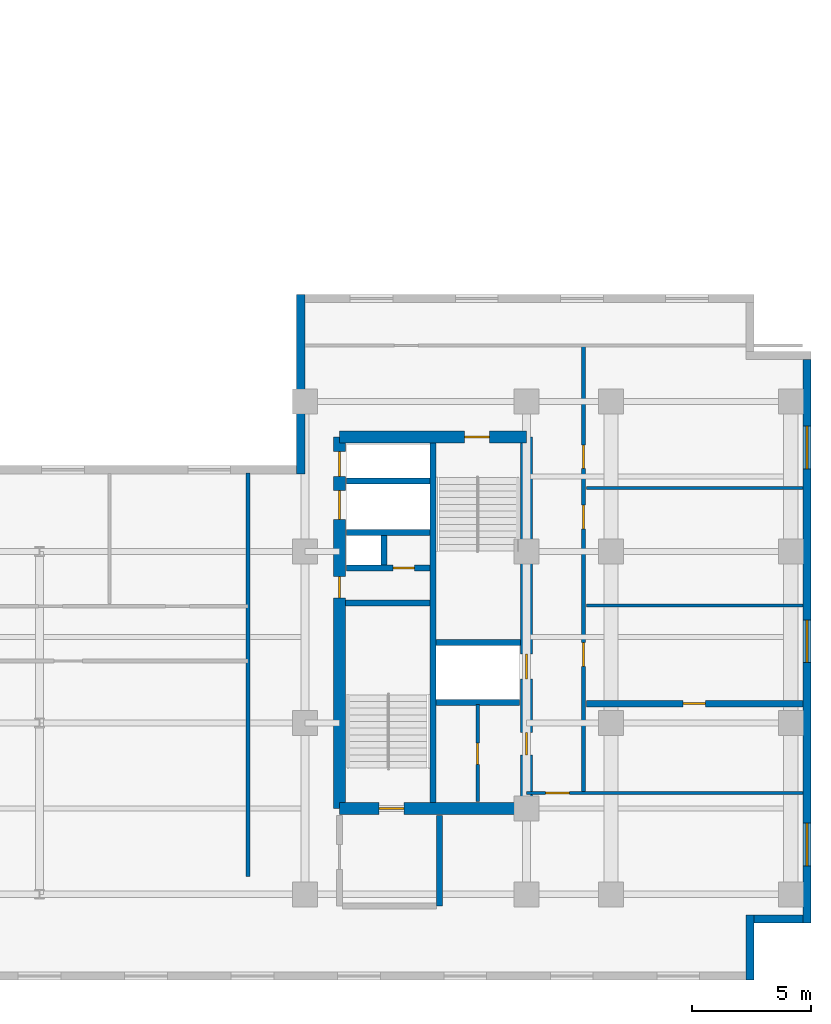
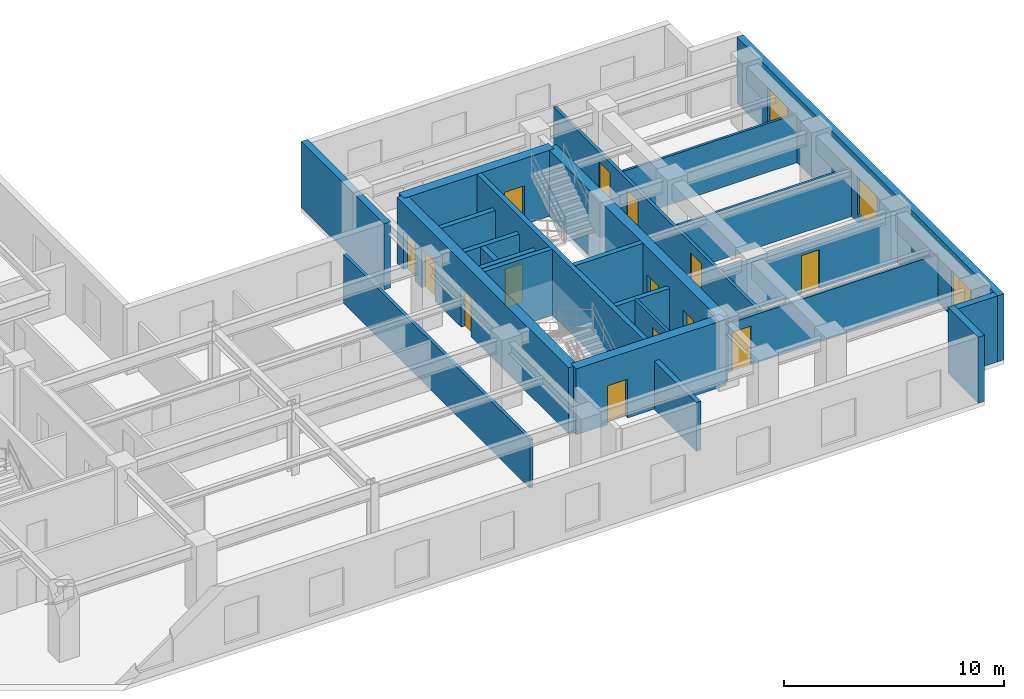
# One storey, part 5 of 10: 24 walls, 14 doors, 3 windows, 17 openings.
"""IFC4 building model written with IfcOpenShell, lengths in metres."""

from ifc_helpers import new_model, entity, si_unit, converted_unit, direction, frame, origin_with_axes, origin_2d_with_axis, place, context, subcontext, project, spatial, polyline, rectangle, outline, extrude, material, layer, layer_set, type_object, element, fill, save


model = new_model("IFC4")

# Units and contexts
model_context = context("Model", 3, precision=1e-05, world=origin_with_axes(), true_north=direction((0.0, 1.0)))
body_context = subcontext(model_context, "Body", "Model", "MODEL_VIEW")
ifc_project = project(units=[si_unit("LENGTHUNIT", "METRE"), si_unit("AREAUNIT", "SQUARE_METRE"), si_unit("VOLUMEUNIT", "CUBIC_METRE"), converted_unit("PLANEANGLEUNIT", "DEGREE", entity("IfcPlaneAngleMeasure", 0.017453292519943295), si_unit("PLANEANGLEUNIT", "RADIAN"), dimensions=[0, 0, 0, 0, 0, 0, 0]), si_unit("MASSUNIT", "GRAM", prefix="KILO"), si_unit("THERMODYNAMICTEMPERATUREUNIT", "KELVIN")], contexts=[model_context])

# Site, building, storey
site_placement = place(None, origin_with_axes())
site = spatial("IfcSite", under=ifc_project, at=site_placement, CompositionType="ELEMENT")
building_placement = place(site_placement, origin_with_axes())
building = spatial("IfcBuilding", under=site, at=building_placement, Name="Varnlund Millrace Tower", CompositionType="ELEMENT")
storey_placement = place(building_placement, frame((0.0, 0.0, 175.8), z_axis=(0.0, 0.0, 1.0), x_axis=(1.0, 0.0, 0.0)))
storey = spatial("IfcBuildingStorey", under=building, at=storey_placement, Name="L43", CompositionType="ELEMENT", Elevation=175.8)

# Wall, openings, doors
ifc_material_1 = material(Name="Concrete C70/85", Category="concrete")
ifc_layer_1 = layer(ifc_material_1, 0.5, Name="Concrete C70/85")
ifc_layer_set_1 = layer_set([ifc_layer_1], Name="Concrete C70/85")
wall_type_1 = type_object("IfcWallType", Name="Type-CoreWall-Shear-500-C70", PredefinedType="SHEAR", material=ifc_layer_set_1)
wall_1_placement = place(storey_placement, frame((40.2, 7.2, 0.0), z_axis=(0.0, 0.0, 1.0), x_axis=(0.0, 1.0, 0.0)))
wall_1 = element("IfcWall", 1, at=wall_1_placement, inside=storey, type_object=wall_type_1, Name="Type-CoreWall-Shear-500-C70", PredefinedType="SHEAR", context=body_context, shape_type="SweptSolid", body=[
    extrude(outline(polyline([(0.0, -0.25), (15.6, -0.25), (15.6, 0.25), (0.0, 0.25), (0.0, -0.25)])), origin_with_axes(), (0.0, 0.0, 1.0), 3.66),
])
opening_1_placement = place(wall_1_placement, frame((14.475, 0.0, 0.0), z_axis=(0.0, 0.0, 1.0), x_axis=(1.0, 0.0, 0.0)))
opening_1 = element("IfcOpeningElement", 2, at=opening_1_placement, cuts=wall_1, Name="Opening L43:LD-ELV-M4", PredefinedType="OPENING", context=body_context, shape_type="SweptSolid", body=[
    extrude(rectangle(XDim=1.05, YDim=0.52, at=origin_2d_with_axis()), origin_with_axes(), (0.0, 0.0, 1.0), 2.15),
])
opening_2_placement = place(wall_1_placement, frame((12.75, 0.0, 0.0), z_axis=(0.0, 0.0, 1.0), x_axis=(1.0, 0.0, 0.0)))
opening_2 = element("IfcOpeningElement", 3, at=opening_2_placement, cuts=wall_1, Name="Opening L43:LD-SRV2", PredefinedType="OPENING", context=body_context, shape_type="SweptSolid", body=[
    extrude(rectangle(XDim=1.2, YDim=0.52, at=origin_2d_with_axis()), origin_with_axes(), (0.0, 0.0, 1.0), 2.15),
])
opening_3_placement = place(wall_1_placement, frame((9.3, 0.0, 0.0), z_axis=(0.0, 0.0, 1.0), x_axis=(1.0, 0.0, 0.0)))
opening_3 = element("IfcOpeningElement", 4, at=opening_3_placement, cuts=wall_1, Name="Opening L43:DR-CB-JAN", PredefinedType="OPENING", context=body_context, shape_type="SweptSolid", body=[
    extrude(rectangle(XDim=0.9, YDim=0.52, at=origin_2d_with_axis()), origin_with_axes(), (0.0, 0.0, 1.0), 2.15),
])
ifc_material_2 = material(Name="Fire-rated hollow steel service closet door", Category="steel")
door_type_1 = type_object("IfcDoorType", Name="Type-FireDoor-Closet-900X2150", OperationType="NOTDEFINED", PredefinedType="DOOR", material=ifc_material_2)
door_1_placement = place(wall_1_placement, frame((9.3, 0.0, 0.0), z_axis=(0.0, 0.0, 1.0), x_axis=(1.0, 0.0, 0.0)))
door_1 = element("IfcDoor", 5, at=door_1_placement, inside=storey, type_object=door_type_1, Name="Type-FireDoor-Closet-900X2150", OperationType="SINGLE_SWING_RIGHT", OverallHeight=2.15, OverallWidth=0.9, PredefinedType="DOOR", context=body_context, shape_type="SweptSolid", body=[
    extrude(rectangle(XDim=0.9, YDim=0.09, at=origin_2d_with_axis()), origin_with_axes(), (0.0, 0.0, 1.0), 2.15),
])
fill(opening_3, door_1)
ifc_material_3 = material(Name="Architectural bronze sliding landing door")
door_type_2 = type_object("IfcDoorType", Name="Type-LiftLandingDoor-Compact-1050X2150", OperationType="NOTDEFINED", PredefinedType="DOOR", material=ifc_material_3)
door_2_placement = place(wall_1_placement, frame((14.475, 0.0, 0.0), z_axis=(0.0, 0.0, 1.0), x_axis=(1.0, 0.0, 0.0)))
door_2 = element("IfcDoor", 6, at=door_2_placement, inside=storey, type_object=door_type_2, Name="Type-LiftLandingDoor-Compact-1050X2150", OperationType="SLIDING_TO_RIGHT", OverallHeight=2.15, OverallWidth=1.05, PredefinedType="DOOR", context=body_context, shape_type="SweptSolid", body=[
    extrude(rectangle(XDim=1.05, YDim=0.09, at=origin_2d_with_axis()), origin_with_axes(), (0.0, 0.0, 1.0), 2.15),
])
fill(opening_1, door_2)
ifc_material_4 = material(Name="Heavy-duty freight sliding landing door")
door_type_3 = type_object("IfcDoorType", Name="Type-LiftLandingDoor-Service-1200X2150", OperationType="NOTDEFINED", PredefinedType="DOOR", material=ifc_material_4)
door_3_placement = place(wall_1_placement, frame((12.75, 0.0, 0.0), z_axis=(0.0, 0.0, 1.0), x_axis=(1.0, 0.0, 0.0)))
door_3 = element("IfcDoor", 7, at=door_3_placement, inside=storey, type_object=door_type_3, Name="Type-LiftLandingDoor-Service-1200X2150", OperationType="DOUBLE_DOOR_SLIDING", OverallHeight=2.15, OverallWidth=1.2, PredefinedType="DOOR", context=body_context, shape_type="SweptSolid", body=[
    extrude(rectangle(XDim=1.2, YDim=0.09, at=origin_2d_with_axis()), origin_with_axes(), (0.0, 0.0, 1.0), 2.15),
])
fill(opening_2, door_3)

# Wall, opening, door
wall_2_placement = place(storey_placement, frame((40.2, 7.2, 0.0), z_axis=(0.0, 0.0, 1.0), x_axis=(1.0, 0.0, 0.0)))
wall_2 = element("IfcWall", 8, at=wall_2_placement, inside=storey, type_object=wall_type_1, Name="Type-CoreWall-Shear-500-C70", PredefinedType="SHEAR", context=body_context, shape_type="SweptSolid", body=[
    extrude(outline(polyline([(0.0, -0.25), (7.85, -0.25), (7.85, 0.25), (0.0, 0.25), (0.0, -0.25)])), origin_with_axes(), (0.0, 0.0, 1.0), 3.66),
])
opening_4_placement = place(wall_2_placement, frame((2.175, 0.0, 0.0), z_axis=(0.0, 0.0, 1.0), x_axis=(1.0, 0.0, 0.0)))
opening_4 = element("IfcOpeningElement", 9, at=opening_4_placement, cuts=wall_2, Name="Opening L43:DR-STB1", PredefinedType="OPENING", context=body_context, shape_type="SweptSolid", body=[
    extrude(rectangle(XDim=1.05, YDim=0.52, at=origin_2d_with_axis()), origin_with_axes(), (0.0, 0.0, 1.0), 2.15),
])
ifc_material_5 = material(Name="Fire-rated hollow steel door", Category="steel")
door_type_4 = type_object("IfcDoorType", Name="Type-FireDoor-Stair-1050X2150", OperationType="NOTDEFINED", PredefinedType="DOOR", material=ifc_material_5)
door_4_placement = place(wall_2_placement, frame((2.175, 0.0, 0.0), z_axis=(0.0, 0.0, 1.0), x_axis=(1.0, 0.0, 0.0)))
door_4 = element("IfcDoor", 10, at=door_4_placement, inside=storey, type_object=door_type_4, Name="Type-FireDoor-Stair-1050X2150", OperationType="SINGLE_SWING_LEFT", OverallHeight=2.15, OverallWidth=1.05, PredefinedType="DOOR", context=body_context, shape_type="SweptSolid", body=[
    extrude(rectangle(XDim=1.05, YDim=0.09, at=origin_2d_with_axis()), origin_with_axes(), (0.0, 0.0, 1.0), 2.15),
])
fill(opening_4, door_4)

wall_3_placement = place(storey_placement, frame((40.2, 22.8, 0.0), z_axis=(0.0, 0.0, 1.0), x_axis=(1.0, 0.0, 0.0)))
wall_3 = element("IfcWall", 11, at=wall_3_placement, inside=storey, type_object=wall_type_1, Name="Type-CoreWall-Shear-500-C70", PredefinedType="SHEAR", context=body_context, shape_type="SweptSolid", body=[
    extrude(outline(polyline([(0.0, -0.25), (7.85, -0.25), (7.85, 0.25), (0.0, 0.25), (0.0, -0.25)])), origin_with_axes(), (0.0, 0.0, 1.0), 3.66),
])
opening_5_placement = place(wall_3_placement, frame((5.775, 0.0, 0.0), z_axis=(0.0, 0.0, 1.0), x_axis=(1.0, 0.0, 0.0)))
opening_5 = element("IfcOpeningElement", 12, at=opening_5_placement, cuts=wall_3, Name="Opening L43:DR-STB2", PredefinedType="OPENING", context=body_context, shape_type="SweptSolid", body=[
    extrude(rectangle(XDim=1.05, YDim=0.52, at=origin_2d_with_axis()), origin_with_axes(), (0.0, 0.0, 1.0), 2.15),
])
door_5_placement = place(wall_3_placement, frame((5.775, 0.0, 0.0), z_axis=(0.0, 0.0, 1.0), x_axis=(1.0, 0.0, 0.0)))
door_5 = element("IfcDoor", 13, at=door_5_placement, inside=storey, type_object=door_type_4, Name="Type-FireDoor-Stair-1050X2150", OperationType="SINGLE_SWING_RIGHT", OverallHeight=2.15, OverallWidth=1.05, PredefinedType="DOOR", context=body_context, shape_type="SweptSolid", body=[
    extrude(rectangle(XDim=1.05, YDim=0.09, at=origin_2d_with_axis()), origin_with_axes(), (0.0, 0.0, 1.0), 2.15),
])
fill(opening_5, door_5)

# Wall, openings, doors
wall_4_placement = place(storey_placement, frame((48.05, 7.2, 0.0), z_axis=(0.0, 0.0, 1.0), x_axis=(0.0, 1.0, 0.0)))
wall_4 = element("IfcWall", 14, at=wall_4_placement, inside=storey, type_object=wall_type_1, Name="Type-CoreWall-Shear-500-C70", PredefinedType="SHEAR", context=body_context, shape_type="SweptSolid", body=[
    extrude(outline(polyline([(0.0, -0.25), (15.6, -0.25), (15.6, 0.25), (0.0, 0.25), (0.0, -0.25)])), origin_with_axes(), (0.0, 0.0, 1.0), 3.66),
])
opening_6_placement = place(wall_4_placement, frame((5.975, 0.0, 0.0), z_axis=(0.0, 0.0, 1.0), x_axis=(1.0, 0.0, 0.0)))
opening_6 = element("IfcOpeningElement", 15, at=opening_6_placement, cuts=wall_4, Name="Opening L43:LD-ELV-M3", PredefinedType="OPENING", context=body_context, shape_type="SweptSolid", body=[
    extrude(rectangle(XDim=1.05, YDim=0.52, at=origin_2d_with_axis()), origin_with_axes(), (0.0, 0.0, 1.0), 2.15),
])
opening_7_placement = place(wall_4_placement, frame((2.725, 0.0, 0.0), z_axis=(0.0, 0.0, 1.0), x_axis=(1.0, 0.0, 0.0)))
opening_7 = element("IfcOpeningElement", 16, at=opening_7_placement, cuts=wall_4, Name="Opening L43:DR-CB-WC2", PredefinedType="OPENING", context=body_context, shape_type="SweptSolid", body=[
    extrude(rectangle(XDim=0.95, YDim=0.52, at=origin_2d_with_axis()), origin_with_axes(), (0.0, 0.0, 1.0), 2.15),
])
ifc_material_6 = material(Name="Fire-rated hollow steel core service door", Category="steel")
door_type_5 = type_object("IfcDoorType", Name="Type-FireDoor-Service-950X2150", OperationType="NOTDEFINED", PredefinedType="DOOR", material=ifc_material_6)
door_6_placement = place(wall_4_placement, frame((2.725, 0.0, 0.0), z_axis=(0.0, 0.0, 1.0), x_axis=(1.0, 0.0, 0.0)))
door_6 = element("IfcDoor", 17, at=door_6_placement, inside=storey, type_object=door_type_5, Name="Type-FireDoor-Service-950X2150", OperationType="SINGLE_SWING_LEFT", OverallHeight=2.15, OverallWidth=0.95, PredefinedType="DOOR", context=body_context, shape_type="SweptSolid", body=[
    extrude(rectangle(XDim=0.95, YDim=0.09, at=origin_2d_with_axis()), origin_with_axes(), (0.0, 0.0, 1.0), 2.15),
])
fill(opening_7, door_6)
door_7_placement = place(wall_4_placement, frame((5.975, 0.0, 0.0), z_axis=(0.0, 0.0, 1.0), x_axis=(1.0, 0.0, 0.0)))
door_7 = element("IfcDoor", 18, at=door_7_placement, inside=storey, type_object=door_type_2, Name="Type-LiftLandingDoor-Compact-1050X2150", OperationType="SLIDING_TO_LEFT", OverallHeight=2.15, OverallWidth=1.05, PredefinedType="DOOR", context=body_context, shape_type="SweptSolid", body=[
    extrude(rectangle(XDim=1.05, YDim=0.09, at=origin_2d_with_axis()), origin_with_axes(), (0.0, 0.0, 1.0), 2.15),
])
fill(opening_6, door_7)

# Wall
ifc_material_7 = material(Name="Precast concrete C50/60", Category="concrete")
ifc_layer_2 = layer(ifc_material_7, 0.34, Name="Precast concrete C50/60")
ifc_layer_set_2 = layer_set([ifc_layer_2], Name="Precast concrete C50/60")
wall_type_2 = type_object("IfcWallType", Name="Type-ExtWall-Precast-Upper-340", PredefinedType="SOLIDWALL", material=ifc_layer_set_2)
wall_5_placement = place(storey_placement, frame((38.57, 21.26, 0.0), z_axis=(0.0, 0.0, 1.0), x_axis=(0.0, 1.0, 0.0)))
element("IfcWall", 19, at=wall_5_placement, inside=storey, type_object=wall_type_2, Name="Type-ExtWall-Precast-Upper-340", PredefinedType="SOLIDWALL", context=body_context, shape_type="SweptSolid", body=[
    extrude(outline(polyline([(0.0, -0.17), (7.54, -0.17), (7.54, 0.17), (0.0, 0.17), (0.0, -0.17)])), origin_with_axes(), (0.0, 0.0, 1.0), 3.66),
])

# Wall, openings, windows
wall_6_placement = place(storey_placement, frame((59.83, 26.06, 0.0), z_axis=(0.0, 0.0, 1.0), x_axis=(0.0, -1.0, 0.0)))
wall_6 = element("IfcWall", 20, at=wall_6_placement, inside=storey, type_object=wall_type_2, Name="Type-ExtWall-Precast-Upper-340", PredefinedType="SOLIDWALL", context=body_context, shape_type="SweptSolid", body=[
    extrude(outline(polyline([(0.0, -0.17), (23.66, -0.17), (23.66, 0.17), (0.0, 0.17), (0.0, -0.17)])), origin_with_axes(), (0.0, 0.0, 1.0), 3.66),
])
opening_8_placement = place(wall_6_placement, frame((3.696, 0.0, 0.45), z_axis=(0.0, 0.0, 1.0), x_axis=(1.0, 0.0, 0.0)))
opening_8 = element("IfcOpeningElement", 21, at=opening_8_placement, cuts=wall_6, Name="Opening L43:WN-05", PredefinedType="OPENING", context=body_context, shape_type="SweptSolid", body=[
    extrude(rectangle(XDim=1.8, YDim=0.36, at=origin_2d_with_axis()), origin_with_axes(), (0.0, 0.0, 1.0), 2.1),
])
opening_9_placement = place(wall_6_placement, frame((11.83, 0.0, 0.45), z_axis=(0.0, 0.0, 1.0), x_axis=(1.0, 0.0, 0.0)))
opening_9 = element("IfcOpeningElement", 22, at=opening_9_placement, cuts=wall_6, Name="Opening L43:WN-06", PredefinedType="OPENING", context=body_context, shape_type="SweptSolid", body=[
    extrude(rectangle(XDim=1.8, YDim=0.36, at=origin_2d_with_axis()), origin_with_axes(), (0.0, 0.0, 1.0), 2.1),
])
opening_10_placement = place(wall_6_placement, frame((20.364, 0.0, 0.45), z_axis=(0.0, 0.0, 1.0), x_axis=(1.0, 0.0, 0.0)))
opening_10 = element("IfcOpeningElement", 23, at=opening_10_placement, cuts=wall_6, Name="Opening L43:WN-07", PredefinedType="OPENING", context=body_context, shape_type="SweptSolid", body=[
    extrude(rectangle(XDim=1.8, YDim=0.36, at=origin_2d_with_axis()), origin_with_axes(), (0.0, 0.0, 1.0), 2.1),
])
ifc_material_8 = material(Name="Argon low-e triple glazing in thermally broken bronze frame", Category="glass")
window_type = type_object("IfcWindowType", Name="Type-Window-Punched-1800X2100", PartitioningType="SINGLE_PANEL", PredefinedType="WINDOW", material=ifc_material_8)
window_1_placement = place(wall_6_placement, frame((3.696, 0.0, 0.45), z_axis=(0.0, 0.0, 1.0), x_axis=(1.0, 0.0, 0.0)))
window_1 = element("IfcWindow", 24, at=window_1_placement, inside=storey, type_object=window_type, Name="Type-Window-Punched-1800X2100", OverallHeight=2.1, OverallWidth=1.8, PredefinedType="WINDOW", context=body_context, shape_type="SweptSolid", body=[
    extrude(rectangle(XDim=1.8, YDim=0.09, at=origin_2d_with_axis()), origin_with_axes(), (0.0, 0.0, 1.0), 2.1),
])
fill(opening_8, window_1)
window_2_placement = place(wall_6_placement, frame((11.83, 0.0, 0.45), z_axis=(0.0, 0.0, 1.0), x_axis=(1.0, 0.0, 0.0)))
window_2 = element("IfcWindow", 25, at=window_2_placement, inside=storey, type_object=window_type, Name="Type-Window-Punched-1800X2100", OverallHeight=2.1, OverallWidth=1.8, PredefinedType="WINDOW", context=body_context, shape_type="SweptSolid", body=[
    extrude(rectangle(XDim=1.8, YDim=0.09, at=origin_2d_with_axis()), origin_with_axes(), (0.0, 0.0, 1.0), 2.1),
])
fill(opening_9, window_2)
window_3_placement = place(wall_6_placement, frame((20.364, 0.0, 0.45), z_axis=(0.0, 0.0, 1.0), x_axis=(1.0, 0.0, 0.0)))
window_3 = element("IfcWindow", 26, at=window_3_placement, inside=storey, type_object=window_type, Name="Type-Window-Punched-1800X2100", OverallHeight=2.1, OverallWidth=1.8, PredefinedType="WINDOW", context=body_context, shape_type="SweptSolid", body=[
    extrude(rectangle(XDim=1.8, YDim=0.09, at=origin_2d_with_axis()), origin_with_axes(), (0.0, 0.0, 1.0), 2.1),
])
fill(opening_10, window_3)

# Walls
wall_7_placement = place(storey_placement, frame((59.66, 2.57, 0.0), z_axis=(0.0, 0.0, 1.0), x_axis=(-1.0, 0.0, 0.0)))
element("IfcWall", 27, at=wall_7_placement, inside=storey, type_object=wall_type_2, Name="Type-ExtWall-Precast-Upper-340", PredefinedType="SOLIDWALL", context=body_context, shape_type="SweptSolid", body=[
    extrude(outline(polyline([(0.0, -0.17), (2.06, -0.17), (2.06, 0.17), (0.0, 0.17), (0.0, -0.17)])), origin_with_axes(), (0.0, 0.0, 1.0), 3.66),
])
wall_8_placement = place(storey_placement, frame((57.43, 2.74, 0.0), z_axis=(0.0, 0.0, 1.0), x_axis=(0.0, -1.0, 0.0)))
element("IfcWall", 28, at=wall_8_placement, inside=storey, type_object=wall_type_2, Name="Type-ExtWall-Precast-Upper-340", PredefinedType="SOLIDWALL", context=body_context, shape_type="SweptSolid", body=[
    extrude(outline(polyline([(0.0, -0.17), (2.74, -0.17), (2.74, 0.17), (0.0, 0.17), (0.0, -0.17)])), origin_with_axes(), (0.0, 0.0, 1.0), 3.66),
])

# Wall, opening, door
ifc_material_9 = material(Name="Double-stud STC-60 conference acoustic partition", Category="gypsum")
ifc_layer_3 = layer(ifc_material_9, 0.28, Name="Double-stud STC-60 conference acoustic partition")
ifc_layer_set_3 = layer_set([ifc_layer_3], Name="Double-stud STC-60 conference acoustic partition")
wall_type_3 = type_object("IfcWallType", Name="Type-Partition-Acoustic-280", PredefinedType="PARTITIONING", material=ifc_layer_set_3)
wall_9_placement = place(storey_placement, frame((50.57, 11.609, 0.0), z_axis=(0.0, 0.0, 1.0), x_axis=(1.0, 0.0, 0.0)))
wall_9 = element("IfcWall", 29, at=wall_9_placement, inside=storey, type_object=wall_type_3, Name="Type-Partition-Acoustic-280", PredefinedType="PARTITIONING", context=body_context, shape_type="SweptSolid", body=[
    extrude(outline(polyline([(0.0, -0.14), (9.095, -0.14), (9.095, 0.14), (0.0, 0.14), (0.0, -0.14)])), origin_with_axes(), (0.0, 0.0, 1.0), 2.7),
])
opening_11_placement = place(wall_9_placement, frame((4.525, 0.0, 0.0), z_axis=(0.0, 0.0, 1.0), x_axis=(1.0, 0.0, 0.0)))
opening_11 = element("IfcOpeningElement", 30, at=opening_11_placement, cuts=wall_9, Name="Opening L43:DR-WB-01", PredefinedType="OPENING", context=body_context, shape_type="SweptSolid", body=[
    extrude(rectangle(XDim=0.95, YDim=0.3, at=origin_2d_with_axis()), origin_with_axes(), (0.0, 0.0, 1.0), 2.15),
])
ifc_material_10 = material(Name="Solid-core acoustic office door")
door_type_6 = type_object("IfcDoorType", Name="Type-IntDoor-Tenant-950X2150", OperationType="NOTDEFINED", PredefinedType="DOOR", material=ifc_material_10)
door_8_placement = place(wall_9_placement, frame((4.525, 0.0, 0.0), z_axis=(0.0, 0.0, 1.0), x_axis=(1.0, 0.0, 0.0)))
door_8 = element("IfcDoor", 31, at=door_8_placement, inside=storey, type_object=door_type_6, Name="Type-IntDoor-Tenant-950X2150", OperationType="SINGLE_SWING_LEFT", OverallHeight=2.15, OverallWidth=0.95, PredefinedType="DOOR", context=body_context, shape_type="SweptSolid", body=[
    extrude(rectangle(XDim=0.95, YDim=0.09, at=origin_2d_with_axis()), origin_with_axes(), (0.0, 0.0, 1.0), 2.15),
])
fill(opening_11, door_8)

# Wall
ifc_material_11 = material(Name="Fire-rated gypsum board on cold-formed steel framing", Category="steel")
ifc_layer_4 = layer(ifc_material_11, 0.16, Name="Fire-rated gypsum board on cold-formed steel framing")
ifc_layer_set_4 = layer_set([ifc_layer_4], Name="Fire-rated gypsum board on cold-formed steel framing")
wall_type_4 = type_object("IfcWallType", Name="Type-Partition-Corridor-160", PredefinedType="PARTITIONING", material=ifc_layer_set_4)
wall_10_placement = place(storey_placement, frame((36.35, 4.35, 0.0), z_axis=(0.0, 0.0, 1.0), x_axis=(0.0, 1.0, 0.0)))
element("IfcWall", 32, at=wall_10_placement, inside=storey, type_object=wall_type_4, Name="Type-Partition-Corridor-160", PredefinedType="PARTITIONING", context=body_context, shape_type="SweptSolid", body=[
    extrude(outline(polyline([(0.0, -0.08), (16.95, -0.08), (16.95, 0.08), (0.0, 0.08), (0.0, -0.08)])), origin_with_axes(), (0.0, 0.0, 1.0), 2.7),
])

# Wall, openings, doors
wall_11_placement = place(storey_placement, frame((50.45, 7.85, 0.0), z_axis=(0.0, 0.0, 1.0), x_axis=(0.0, 1.0, 0.0)))
wall_11 = element("IfcWall", 33, at=wall_11_placement, inside=storey, type_object=wall_type_4, Name="Type-Partition-Corridor-160", PredefinedType="PARTITIONING", context=body_context, shape_type="SweptSolid", body=[
    extrude(outline(polyline([(0.0, -0.08), (18.8, -0.08), (18.8, 0.08), (0.0, 0.08), (0.0, -0.08)])), origin_with_axes(), (0.0, 0.0, 1.0), 2.7),
])
opening_12_placement = place(wall_11_placement, frame((5.823, 0.0, 0.0), z_axis=(0.0, 0.0, 1.0), x_axis=(1.0, 0.0, 0.0)))
opening_12 = element("IfcOpeningElement", 34, at=opening_12_placement, cuts=wall_11, Name="Opening L43:DR-WB-02", PredefinedType="OPENING", context=body_context, shape_type="SweptSolid", body=[
    extrude(rectangle(XDim=1.0, YDim=0.18, at=origin_2d_with_axis()), origin_with_axes(), (0.0, 0.0, 1.0), 2.15),
])
opening_13_placement = place(wall_11_placement, frame((11.602, 0.0, 0.0), z_axis=(0.0, 0.0, 1.0), x_axis=(1.0, 0.0, 0.0)))
opening_13 = element("IfcOpeningElement", 35, at=opening_13_placement, cuts=wall_11, Name="Opening L43:DR-WB-03", PredefinedType="OPENING", context=body_context, shape_type="SweptSolid", body=[
    extrude(rectangle(XDim=1.0, YDim=0.18, at=origin_2d_with_axis()), origin_with_axes(), (0.0, 0.0, 1.0), 2.15),
])
opening_14_placement = place(wall_11_placement, frame((14.129, 0.0, 0.0), z_axis=(0.0, 0.0, 1.0), x_axis=(1.0, 0.0, 0.0)))
opening_14 = element("IfcOpeningElement", 36, at=opening_14_placement, cuts=wall_11, Name="Opening L43:DR-WB-04", PredefinedType="OPENING", context=body_context, shape_type="SweptSolid", body=[
    extrude(rectangle(XDim=1.0, YDim=0.18, at=origin_2d_with_axis()), origin_with_axes(), (0.0, 0.0, 1.0), 2.15),
])
ifc_material_12 = material(Name="Solid-core white oak and bronze frame door")
door_type_7 = type_object("IfcDoorType", Name="Type-IntDoor-Office-1000X2150", OperationType="NOTDEFINED", PredefinedType="DOOR", material=ifc_material_12)
door_9_placement = place(wall_11_placement, frame((5.823, 0.0, 0.0), z_axis=(0.0, 0.0, 1.0), x_axis=(1.0, 0.0, 0.0)))
door_9 = element("IfcDoor", 37, at=door_9_placement, inside=storey, type_object=door_type_7, Name="Type-IntDoor-Office-1000X2150", OperationType="SINGLE_SWING_RIGHT", OverallHeight=2.15, OverallWidth=1.0, PredefinedType="DOOR", context=body_context, shape_type="SweptSolid", body=[
    extrude(rectangle(XDim=1.0, YDim=0.09, at=origin_2d_with_axis()), origin_with_axes(), (0.0, 0.0, 1.0), 2.15),
])
fill(opening_12, door_9)
door_10_placement = place(wall_11_placement, frame((11.602, 0.0, 0.0), z_axis=(0.0, 0.0, 1.0), x_axis=(1.0, 0.0, 0.0)))
door_10 = element("IfcDoor", 38, at=door_10_placement, inside=storey, type_object=door_type_7, Name="Type-IntDoor-Office-1000X2150", OperationType="SINGLE_SWING_LEFT", OverallHeight=2.15, OverallWidth=1.0, PredefinedType="DOOR", context=body_context, shape_type="SweptSolid", body=[
    extrude(rectangle(XDim=1.0, YDim=0.09, at=origin_2d_with_axis()), origin_with_axes(), (0.0, 0.0, 1.0), 2.15),
])
fill(opening_13, door_10)
door_11_placement = place(wall_11_placement, frame((14.129, 0.0, 0.0), z_axis=(0.0, 0.0, 1.0), x_axis=(1.0, 0.0, 0.0)))
door_11 = element("IfcDoor", 39, at=door_11_placement, inside=storey, type_object=door_type_7, Name="Type-IntDoor-Office-1000X2150", OperationType="SINGLE_SWING_RIGHT", OverallHeight=2.15, OverallWidth=1.0, PredefinedType="DOOR", context=body_context, shape_type="SweptSolid", body=[
    extrude(rectangle(XDim=1.0, YDim=0.09, at=origin_2d_with_axis()), origin_with_axes(), (0.0, 0.0, 1.0), 2.15),
])
fill(opening_14, door_11)

# Wall, opening, door
ifc_material_13 = material(Name="Gypsum board tenant partition", Category="gypsum")
ifc_layer_5 = layer(ifc_material_13, 0.125, Name="Gypsum board tenant partition")
ifc_layer_set_5 = layer_set([ifc_layer_5], Name="Gypsum board tenant partition")
wall_type_5 = type_object("IfcWallType", Name="Type-Partition-Tenant-125", PredefinedType="PARTITIONING", material=ifc_layer_set_5)
wall_12_placement = place(storey_placement, frame((59.665, 7.85, 0.0), z_axis=(0.0, 0.0, 1.0), x_axis=(-1.0, 0.0, 0.0)))
wall_12 = element("IfcWall", 40, at=wall_12_placement, inside=storey, type_object=wall_type_5, Name="Type-Partition-Tenant-125", PredefinedType="PARTITIONING", context=body_context, shape_type="SweptSolid", body=[
    extrude(outline(polyline([(0.0, -0.0625), (11.615, -0.0625), (11.615, 0.0625), (0.0, 0.0625), (0.0, -0.0625)])), origin_with_axes(), (0.0, 0.0, 1.0), 2.7),
])
opening_15_placement = place(wall_12_placement, frame((10.315, 0.0, 0.0), z_axis=(0.0, 0.0, 1.0), x_axis=(1.0, 0.0, 0.0)))
opening_15 = element("IfcOpeningElement", 41, at=opening_15_placement, cuts=wall_12, Name="Opening L43:DR-WBS-01", PredefinedType="OPENING", context=body_context, shape_type="SweptSolid", body=[
    extrude(rectangle(XDim=1.0, YDim=0.145, at=origin_2d_with_axis()), origin_with_axes(), (0.0, 0.0, 1.0), 2.15),
])
door_12_placement = place(wall_12_placement, frame((10.315, 0.0, 0.0), z_axis=(0.0, 0.0, 1.0), x_axis=(1.0, 0.0, 0.0)))
door_12 = element("IfcDoor", 42, at=door_12_placement, inside=storey, type_object=door_type_7, Name="Type-IntDoor-Office-1000X2150", OperationType="SINGLE_SWING_LEFT", OverallHeight=2.15, OverallWidth=1.0, PredefinedType="DOOR", context=body_context, shape_type="SweptSolid", body=[
    extrude(rectangle(XDim=1.0, YDim=0.075, at=origin_2d_with_axis()), origin_with_axes(), (0.0, 0.0, 1.0), 2.15),
])
fill(opening_15, door_12)

# Walls
for number, where, z_axis, x_axis, name in (
    (43, (50.57, 15.737, 0.0), (0.0, 0.0, 1.0), (1.0, 0.0, 0.0), "Type-Partition-Tenant-125"),
    (44, (50.57, 20.667, 0.0), (0.0, 0.0, 1.0), (1.0, 0.0, 0.0), "Type-Partition-Tenant-125"),
):
    element("IfcWall", number, at=place(storey_placement, frame(where, z_axis=z_axis, x_axis=x_axis)), inside=storey, type_object=wall_type_5, Name=name, PredefinedType="PARTITIONING", context=body_context, shape_type="SweptSolid", body=[
        extrude(outline(polyline([(0.0, -0.0625), (9.095, -0.0625), (9.095, 0.0625), (0.0, 0.0625), (0.0, -0.0625)])), origin_with_axes(), (0.0, 0.0, 1.0), 2.7),
    ])

# Wall, opening, door
ifc_material_14 = material(Name="Moisture-resistant gypsum restroom partition", Category="gypsum")
ifc_layer_6 = layer(ifc_material_14, 0.14, Name="Moisture-resistant gypsum restroom partition")
ifc_layer_set_6 = layer_set([ifc_layer_6], Name="Moisture-resistant gypsum restroom partition")
wall_type_6 = type_object("IfcWallType", Name="Type-Partition-Wet-140", PredefinedType="PARTITIONING", material=ifc_layer_set_6)
wall_13_placement = place(storey_placement, frame((46.0, 7.5, 0.0), z_axis=(0.0, 0.0, 1.0), x_axis=(0.0, 1.0, 0.0)))
wall_13 = element("IfcWall", 45, at=wall_13_placement, inside=storey, type_object=wall_type_6, Name="Type-Partition-Wet-140", PredefinedType="PARTITIONING", context=body_context, shape_type="SweptSolid", body=[
    extrude(outline(polyline([(0.0, -0.07), (4.08, -0.07), (4.08, 0.07), (0.0, 0.07), (0.0, -0.07)])), origin_with_axes(), (0.0, 0.0, 1.0), 2.7),
])
opening_16_placement = place(wall_13_placement, frame((2.0, 0.0, 0.0), z_axis=(0.0, 0.0, 1.0), x_axis=(1.0, 0.0, 0.0)))
opening_16 = element("IfcOpeningElement", 46, at=opening_16_placement, cuts=wall_13, Name="Opening L43:DR-CB-WC1", PredefinedType="OPENING", context=body_context, shape_type="SweptSolid", body=[
    extrude(rectangle(XDim=0.9, YDim=0.16, at=origin_2d_with_axis()), origin_with_axes(), (0.0, 0.0, 1.0), 2.15),
])
ifc_material_15 = material(Name="Painted steel riser and closet door", Category="steel")
door_type_8 = type_object("IfcDoorType", Name="Type-IntDoor-Closet-900X2150", OperationType="NOTDEFINED", PredefinedType="DOOR", material=ifc_material_15)
door_13_placement = place(wall_13_placement, frame((2.0, 0.0, 0.0), z_axis=(0.0, 0.0, 1.0), x_axis=(1.0, 0.0, 0.0)))
door_13 = element("IfcDoor", 47, at=door_13_placement, inside=storey, type_object=door_type_8, Name="Type-IntDoor-Closet-900X2150", OperationType="SINGLE_SWING_LEFT", OverallHeight=2.15, OverallWidth=0.9, PredefinedType="DOOR", context=body_context, shape_type="SweptSolid", body=[
    extrude(rectangle(XDim=0.9, YDim=0.084, at=origin_2d_with_axis()), origin_with_axes(), (0.0, 0.0, 1.0), 2.15),
])
fill(opening_16, door_13)

ifc_material_16 = material(Name="Concrete C60/75", Category="concrete")
ifc_layer_7 = layer(ifc_material_16, 0.25, Name="Concrete C60/75")
ifc_layer_set_7 = layer_set([ifc_layer_7], Name="Concrete C60/75")
wall_type_7 = type_object("IfcWallType", Name="Type-ShaftWall-Fire-250", PredefinedType="SOLIDWALL", material=ifc_layer_set_7)
wall_14_placement = place(storey_placement, frame((40.5, 17.3, 0.0), z_axis=(0.0, 0.0, 1.0), x_axis=(1.0, 0.0, 0.0)))
wall_14 = element("IfcWall", 48, at=wall_14_placement, inside=storey, type_object=wall_type_7, Name="Type-ShaftWall-Fire-250", PredefinedType="SOLIDWALL", context=body_context, shape_type="SweptSolid", body=[
    extrude(outline(polyline([(0.0, -0.125), (3.5, -0.125), (3.5, 0.125), (0.0, 0.125), (0.0, -0.125)])), origin_with_axes(), (0.0, 0.0, 1.0), 2.7),
])
opening_17_placement = place(wall_14_placement, frame((2.4, 0.0, 0.0), z_axis=(0.0, 0.0, 1.0), x_axis=(1.0, 0.0, 0.0)))
opening_17 = element("IfcOpeningElement", 49, at=opening_17_placement, cuts=wall_14, Name="Opening L43:DR-CB-ELC", PredefinedType="OPENING", context=body_context, shape_type="SweptSolid", body=[
    extrude(rectangle(XDim=0.9, YDim=0.27, at=origin_2d_with_axis()), origin_with_axes(), (0.0, 0.0, 1.0), 2.15),
])
door_14_placement = place(wall_14_placement, frame((2.4, 0.0, 0.0), z_axis=(0.0, 0.0, 1.0), x_axis=(1.0, 0.0, 0.0)))
door_14 = element("IfcDoor", 50, at=door_14_placement, inside=storey, type_object=door_type_1, Name="Type-FireDoor-Closet-900X2150", OperationType="SINGLE_SWING_LEFT", OverallHeight=2.15, OverallWidth=0.9, PredefinedType="DOOR", context=body_context, shape_type="SweptSolid", body=[
    extrude(rectangle(XDim=0.9, YDim=0.09, at=origin_2d_with_axis()), origin_with_axes(), (0.0, 0.0, 1.0), 2.15),
])
fill(opening_17, door_14)

# Walls
wall_15_placement = place(storey_placement, frame((40.5, 18.8, 0.0), z_axis=(0.0, 0.0, 1.0), x_axis=(1.0, 0.0, 0.0)))
element("IfcWall", 51, at=wall_15_placement, inside=storey, type_object=wall_type_7, Name="Type-ShaftWall-Fire-250", PredefinedType="SOLIDWALL", context=body_context, shape_type="SweptSolid", body=[
    extrude(outline(polyline([(0.0, -0.125), (3.5, -0.125), (3.5, 0.125), (0.0, 0.125), (0.0, -0.125)])), origin_with_axes(), (0.0, 0.0, 1.0), 2.7),
])
wall_16_placement = place(storey_placement, frame((42.075, 17.43, 0.0), z_axis=(0.0, 0.0, 1.0), x_axis=(0.0, 1.0, 0.0)))
element("IfcWall", 52, at=wall_16_placement, inside=storey, type_object=wall_type_7, Name="Type-ShaftWall-Fire-250", PredefinedType="SOLIDWALL", context=body_context, shape_type="SweptSolid", body=[
    extrude(outline(polyline([(0.0, -0.125), (1.24, -0.125), (1.24, 0.125), (0.0, 0.125), (0.0, -0.125)])), origin_with_axes(), (0.0, 0.0, 1.0), 2.7),
])
wall_17_placement = place(storey_placement, frame((44.4, 3.1, 0.0), z_axis=(0.0, 0.0, 1.0), x_axis=(0.0, 1.0, 0.0)))
element("IfcWall", 53, at=wall_17_placement, inside=storey, type_object=wall_type_7, Name="Type-ShaftWall-Fire-250", PredefinedType="SOLIDWALL", context=body_context, shape_type="SweptSolid", body=[
    extrude(outline(polyline([(0.0, -0.125), (3.8, -0.125), (3.8, 0.125), (0.0, 0.125), (0.0, -0.125)])), origin_with_axes(), (0.0, 0.0, 1.0), 2.7),
])
for number, where, z_axis, x_axis, name in (
    (54, (40.5, 20.96, 0.0), (0.0, 0.0, 1.0), (1.0, 0.0, 0.0), "Type-ShaftWall-Fire-250"),
    (55, (44.25, 11.66, 0.0), (0.0, 0.0, 1.0), (1.0, 0.0, 0.0), "Type-ShaftWall-Fire-250"),
):
    element("IfcWall", number, at=place(storey_placement, frame(where, z_axis=z_axis, x_axis=x_axis)), inside=storey, type_object=wall_type_7, Name=name, PredefinedType="SOLIDWALL", context=body_context, shape_type="SweptSolid", body=[
        extrude(outline(polyline([(0.0, -0.125), (3.5, -0.125), (3.5, 0.125), (0.0, 0.125), (0.0, -0.125)])), origin_with_axes(), (0.0, 0.0, 1.0), 2.7),
    ])
wall_type_8 = type_object("IfcWallType", Name="Type-StairWall-Shear-250", PredefinedType="SHEAR", material=ifc_layer_set_7)
wall_18_placement = place(storey_placement, frame((44.125, 7.45, 0.0), z_axis=(0.0, 0.0, 1.0), x_axis=(0.0, 1.0, 0.0)))
element("IfcWall", 56, at=wall_18_placement, inside=storey, type_object=wall_type_8, Name="Type-StairWall-Shear-250", PredefinedType="SHEAR", context=body_context, shape_type="SweptSolid", body=[
    extrude(outline(polyline([(0.0, -0.125), (15.1, -0.125), (15.1, 0.125), (0.0, 0.125), (0.0, -0.125)])), origin_with_axes(), (0.0, 0.0, 1.0), 3.66),
])
for number, where, z_axis, x_axis, name in (
    (57, (40.45, 15.825, 0.0), (0.0, 0.0, 1.0), (1.0, 0.0, 0.0), "Type-StairWall-Shear-250"),
    (58, (44.25, 14.175, 0.0), (0.0, 0.0, 1.0), (1.0, 0.0, 0.0), "Type-StairWall-Shear-250"),
):
    element("IfcWall", number, at=place(storey_placement, frame(where, z_axis=z_axis, x_axis=x_axis)), inside=storey, type_object=wall_type_8, Name=name, PredefinedType="SHEAR", context=body_context, shape_type="SweptSolid", body=[
        extrude(outline(polyline([(0.0, -0.125), (3.55, -0.125), (3.55, 0.125), (0.0, 0.125), (0.0, -0.125)])), origin_with_axes(), (0.0, 0.0, 1.0), 3.66),
    ])

save(model, "model.ifc")
